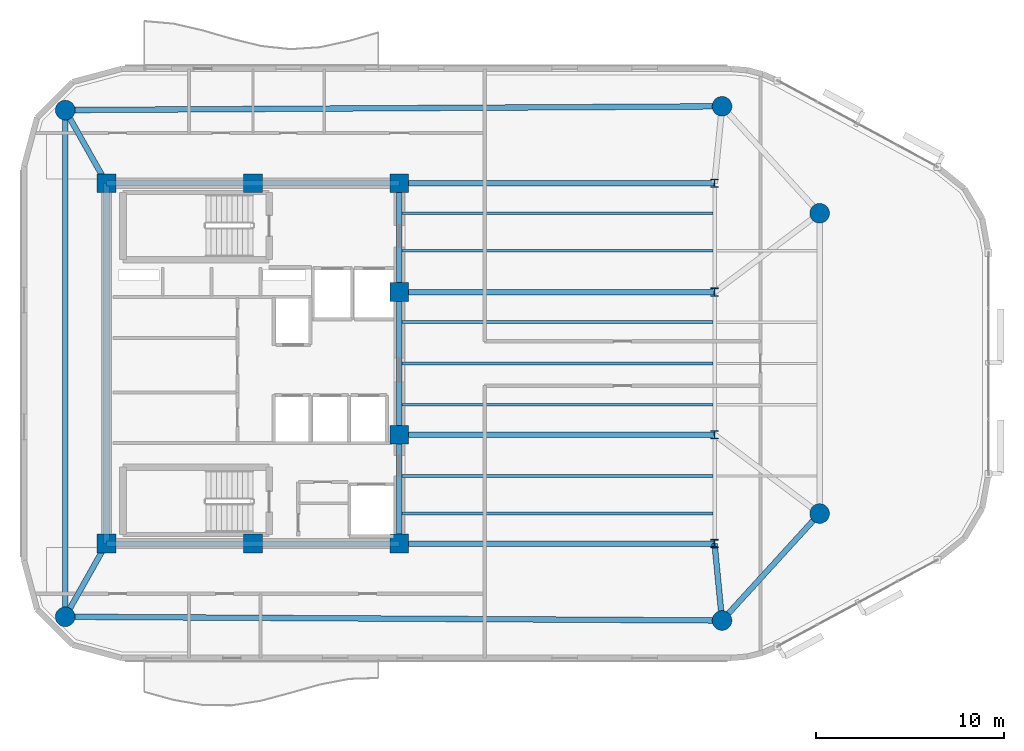
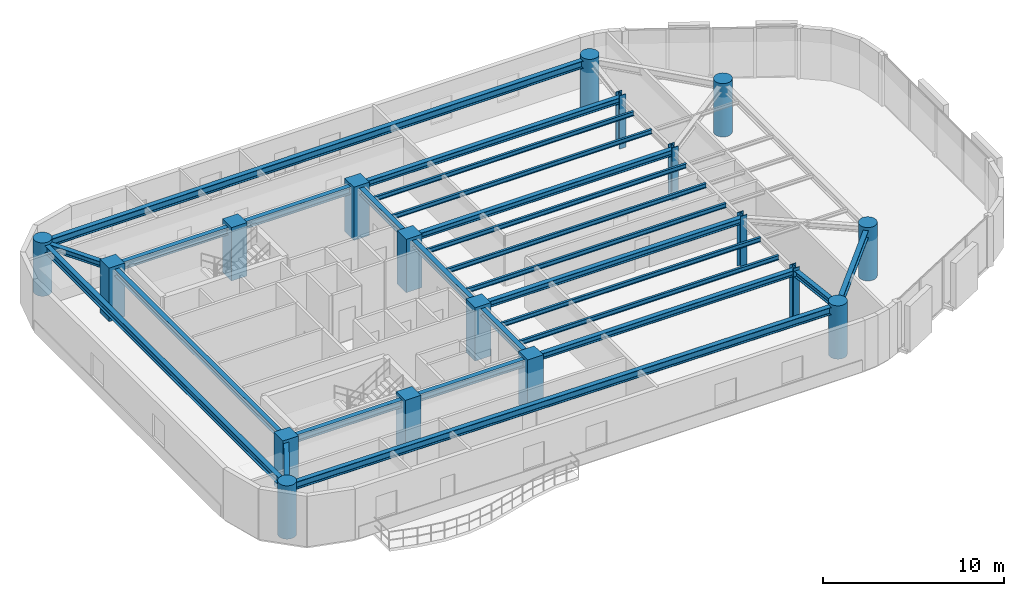
# One storey, part 1 of 13: 24 beams, 18 columns.
"""IFC4 building model written with IfcOpenShell, lengths in metres."""

from ifc_helpers import new_model, si_unit, direction, frame, origin, origin_2d, place, context, subcontext, project, spatial, rectangle, circle, i_section, extrude, material, material_profile, profile_set, type_object, element, save


model = new_model("IFC4")

# Units and contexts
model_context = context("Model", 3, precision=1e-05, world=origin(), true_north=direction((0.0, 1.0)))
body_context = subcontext(model_context, "Body", "Model", "MODEL_VIEW")
ifc_project = project(units=[si_unit("LENGTHUNIT", "METRE"), si_unit("AREAUNIT", "SQUARE_METRE"), si_unit("VOLUMEUNIT", "CUBIC_METRE"), si_unit("PLANEANGLEUNIT", "RADIAN"), si_unit("MASSUNIT", "GRAM", prefix="KILO")], contexts=[model_context])

# Site, building, storey
site_placement = place(None, origin())
site = spatial("IfcSite", under=ifc_project, at=site_placement, CompositionType="ELEMENT")
building_placement = place(site_placement, origin())
building = spatial("IfcBuilding", under=site, at=building_placement, Name="An Khanh Terracotta Commons", CompositionType="ELEMENT")
storey_placement = place(building_placement, frame((0.0, 0.0, 237.300048828125)))
storey = spatial("IfcBuildingStorey", under=building, at=storey_placement, Name="L62", CompositionType="ELEMENT", Elevation=237.300048828125)

# Columns
ifc_material_1 = material(Name="Concrete C60/75", Category="concrete")
ifc_material_profile_1 = material_profile(ifc_material_1, circle(Radius=0.52490234375, at=origin_2d()), Name="CFST1050")
ifc_profile_set_1 = profile_set([ifc_material_profile_1], Name="Concrete C60/75")
column_type_1 = type_object("IfcColumnType", Name="COL-CFST1050", PredefinedType="COLUMN", material=ifc_profile_set_1)
for number, where, z_axis, x_axis, name in (
    (1, (19.39990234375, 10.5, 0.0), (0.0, 0.0, 1.0), (1.0, 0.0, 0.0), "L62 Perimeter CFST Mega-Column MC-01"),
    (2, (54.39990234375, 10.300048828125, 0.0), (0.0, 0.0, 1.0), (1.0, 0.0, 0.0), "L62 Perimeter CFST Mega-Column MC-02"),
    (3, (59.60009765625, 16.0, 0.0), (0.0, 0.0, 1.0), (1.0, 0.0, 0.0), "L62 Perimeter CFST Mega-Column MC-03"),
    (4, (59.60009765625, 32.0, 0.0), (0.0, 0.0, 1.0), (1.0, 0.0, 0.0), "L62 Perimeter CFST Mega-Column MC-04"),
    (5, (54.39990234375, 37.699951171875, 0.0), (0.0, 0.0, 1.0), (1.0, 0.0, 0.0), "L62 Perimeter CFST Mega-Column MC-05"),
    (6, (19.39990234375, 37.5, 0.0), (0.0, 0.0, 1.0), (1.0, 0.0, 0.0), "L62 Perimeter CFST Mega-Column MC-06"),
):
    element("IfcColumn", number, at=place(storey_placement, frame(where, z_axis=z_axis, x_axis=x_axis)), inside=storey, type_object=column_type_1, Name=name, PredefinedType="COLUMN", context=body_context, shape_type="SweptSolid", body=[
        extrude(circle(Radius=0.52490234375, at=origin_2d()), origin(), (0.0, 0.0, 1.0), 3.599853515625),
    ])
ifc_material_2 = material(Name="Steel S460ML", Category="steel")
ifc_material_profile_2 = material_profile(ifc_material_2, i_section(OverallWidth=0.406005859375, OverallDepth=0.43994140625, WebThickness=0.02392578125, FlangeThickness=0.0390625, FilletRadius=0.014892578125, at=origin_2d()), Name="HD400x314")
ifc_profile_set_2 = profile_set([ifc_material_profile_2], Name="Steel S460ML")
column_type_2 = type_object("IfcColumnType", Name="COL-HD400x314", PredefinedType="COLUMN", material=ifc_profile_set_2)
for number, where, z_axis, x_axis, name in (
    (7, (54.0, 14.39990234375, 0.0), (0.0, 0.0, 1.0), (1.0, 0.0, 0.0), "L62 Interior Frame Column TC-01"),
    (8, (54.0, 20.199951171875, 0.0), (0.0, 0.0, 1.0), (1.0, 0.0, 0.0), "L62 Interior Frame Column TC-02"),
    (9, (54.0, 27.800048828125, 0.0), (0.0, 0.0, 1.0), (1.0, 0.0, 0.0), "L62 Interior Frame Column TC-03"),
    (10, (54.0, 33.60009765625, 0.0), (0.0, 0.0, 1.0), (1.0, 0.0, 0.0), "L62 Interior Frame Column TC-04"),
):
    element("IfcColumn", number, at=place(storey_placement, frame(where, z_axis=z_axis, x_axis=x_axis)), inside=storey, type_object=column_type_2, Name=name, PredefinedType="COLUMN", context=body_context, shape_type="SweptSolid", body=[
        extrude(i_section(OverallWidth=0.406005859375, OverallDepth=0.43994140625, WebThickness=0.02392578125, FlangeThickness=0.0390625, FilletRadius=0.014892578125, at=origin_2d()), origin(), (0.0, 0.0, 1.0), 3.599853515625),
    ])
ifc_material_profile_3 = material_profile(ifc_material_1, rectangle(XDim=1.0, YDim=1.0, at=origin_2d()), Name="RC1000x1000")
ifc_profile_set_3 = profile_set([ifc_material_profile_3], Name="Concrete C60/75")
column_type_3 = type_object("IfcColumnType", Name="COL-RC1000x1000", PredefinedType="COLUMN", material=ifc_profile_set_3)
for number, where, z_axis, x_axis, name in (
    (11, (21.60009765625, 14.39990234375, 0.0), (0.0, 0.0, 1.0), (1.0, 0.0, 0.0), "L62 Core Boundary Column CC-01"),
    (12, (29.39990234375, 14.39990234375, 0.0), (0.0, 0.0, 1.0), (1.0, 0.0, 0.0), "L62 Core Boundary Column CC-02"),
    (13, (37.199951171875, 14.39990234375, 0.0), (0.0, 0.0, 1.0), (1.0, 0.0, 0.0), "L62 Core Boundary Column CC-03"),
    (14, (37.199951171875, 20.199951171875, 0.0), (0.0, 0.0, 1.0), (1.0, 0.0, 0.0), "L62 Core Boundary Column CC-04"),
    (15, (37.199951171875, 27.800048828125, 0.0), (0.0, 0.0, 1.0), (1.0, 0.0, 0.0), "L62 Core Boundary Column CC-05"),
    (16, (37.199951171875, 33.60009765625, 0.0), (0.0, 0.0, 1.0), (1.0, 0.0, 0.0), "L62 Core Boundary Column CC-06"),
    (17, (29.39990234375, 33.60009765625, 0.0), (0.0, 0.0, 1.0), (1.0, 0.0, 0.0), "L62 Core Boundary Column CC-07"),
    (18, (21.60009765625, 33.60009765625, 0.0), (0.0, 0.0, 1.0), (1.0, 0.0, 0.0), "L62 Core Boundary Column CC-08"),
):
    element("IfcColumn", number, at=place(storey_placement, frame(where, z_axis=z_axis, x_axis=x_axis)), inside=storey, type_object=column_type_3, Name=name, PredefinedType="COLUMN", context=body_context, shape_type="SweptSolid", body=[
        extrude(rectangle(XDim=1.0, YDim=1.0, at=origin_2d()), origin(), (0.0, 0.0, 1.0), 3.599853515625),
    ])

# Beams
ifc_material_3 = material(Name="Steel S355J2", Category="steel")
ifc_material_profile_4 = material_profile(ifc_material_3, i_section(OverallWidth=0.300048828125, OverallDepth=0.39990234375, WebThickness=0.013427734375, FlangeThickness=0.02392578125, FilletRadius=0.027099609375, at=origin_2d()), Name="HEB400")
ifc_profile_set_4 = profile_set([ifc_material_profile_4], Name="Steel S355J2")
beam_type_1 = type_object("IfcBeamType", Name="BM-HEB400", PredefinedType="BEAM", material=ifc_profile_set_4)
for number, where, z_axis, x_axis, name in (
    (19, (37.199951171875, 14.39990234375, 3.199951171875), (1.0, 0.0, 0.0), (0.0, 1.0, 0.0), "L62 East Primary Floor Girder 1"),
    (20, (37.199951171875, 20.199951171875, 3.199951171875), (1.0, 0.0, 0.0), (0.0, 1.0, 0.0), "L62 East Primary Floor Girder 2"),
    (21, (37.199951171875, 27.800048828125, 3.199951171875), (1.0, 0.0, 0.0), (0.0, 1.0, 0.0), "L62 East Primary Floor Girder 3"),
    (22, (37.199951171875, 33.60009765625, 3.199951171875), (1.0, 0.0, 0.0), (0.0, 1.0, 0.0), "L62 East Primary Floor Girder 4"),
):
    element("IfcBeam", number, at=place(storey_placement, frame(where, z_axis=z_axis, x_axis=x_axis)), inside=storey, type_object=beam_type_1, Name=name, PredefinedType="BEAM", context=body_context, shape_type="SweptSolid", body=[
        extrude(i_section(OverallWidth=0.300048828125, OverallDepth=0.39990234375, WebThickness=0.013427734375, FlangeThickness=0.02392578125, FilletRadius=0.027099609375, at=origin_2d()), origin(), (0.0, 0.0, 1.0), 16.800048828125),
    ])
beam_1_placement = place(storey_placement, frame((19.39990234375, 10.5, 3.199951171875), z_axis=(0.491363608436, 0.870954536302, 0.0), x_axis=(-0.870954536302, 0.491363608436, 0.0)))
element("IfcBeam", 23, at=beam_1_placement, inside=storey, type_object=beam_type_1, Name="L62 Mega-Column Tie Girder 1", PredefinedType="BEAM", context=body_context, shape_type="SweptSolid", body=[
    extrude(i_section(OverallWidth=0.300048828125, OverallDepth=0.39990234375, WebThickness=0.013427734375, FlangeThickness=0.02392578125, FilletRadius=0.027099609375, at=origin_2d()), origin(), (0.0, 0.0, 1.0), 4.477783203125),
])
beam_2_placement = place(storey_placement, frame((54.39990234375, 10.300048828125, 3.199951171875), z_axis=(-0.097079917443, 0.995276589511, 0.0), x_axis=(-0.995276589511, -0.097079917443, 0.0)))
element("IfcBeam", 24, at=beam_2_placement, inside=storey, type_object=beam_type_1, Name="L62 Mega-Column Tie Girder 2", PredefinedType="BEAM", context=body_context, shape_type="SweptSolid", body=[
    extrude(i_section(OverallWidth=0.300048828125, OverallDepth=0.39990234375, WebThickness=0.013427734375, FlangeThickness=0.02392578125, FilletRadius=0.027099609375, at=origin_2d()), origin(), (0.0, 0.0, 1.0), 4.119384765625),
])
beam_3_placement = place(storey_placement, frame((19.39990234375, 37.5, 3.199951171875), z_axis=(0.491363608436, -0.870954536302, 0.0), x_axis=(0.870954536302, 0.491363608436, 0.0)))
element("IfcBeam", 25, at=beam_3_placement, inside=storey, type_object=beam_type_1, Name="L62 Mega-Column Tie Girder 6", PredefinedType="BEAM", context=body_context, shape_type="SweptSolid", body=[
    extrude(i_section(OverallWidth=0.300048828125, OverallDepth=0.39990234375, WebThickness=0.013427734375, FlangeThickness=0.02392578125, FilletRadius=0.027099609375, at=origin_2d()), origin(), (0.0, 0.0, 1.0), 4.477783203125),
])
ifc_material_profile_5 = material_profile(ifc_material_3, i_section(OverallWidth=0.300048828125, OverallDepth=0.449951171875, WebThickness=0.013916015625, FlangeThickness=0.02587890625, FilletRadius=0.027099609375, at=origin_2d()), Name="HEB450")
ifc_profile_set_5 = profile_set([ifc_material_profile_5], Name="Steel S355J2")
beam_type_2 = type_object("IfcBeamType", Name="BM-HEB450", PredefinedType="BEAM", material=ifc_profile_set_5)
beam_4_placement = place(storey_placement, frame((37.199951171875, 14.39990234375, 3.175048828125), z_axis=(0.0, 1.0, 0.0), x_axis=(-1.0, 0.0, 0.0)))
element("IfcBeam", 26, at=beam_4_placement, inside=storey, type_object=beam_type_2, Name="L62 Core East Coupling Girder 1", PredefinedType="BEAM", context=body_context, shape_type="SweptSolid", body=[
    extrude(i_section(OverallWidth=0.300048828125, OverallDepth=0.449951171875, WebThickness=0.013916015625, FlangeThickness=0.02587890625, FilletRadius=0.027099609375, at=origin_2d()), origin(), (0.0, 0.0, 1.0), 5.800048828125),
])
beam_5_placement = place(storey_placement, frame((37.199951171875, 20.199951171875, 3.175048828125), z_axis=(0.0, 1.0, 0.0), x_axis=(-1.0, 0.0, 0.0)))
element("IfcBeam", 27, at=beam_5_placement, inside=storey, type_object=beam_type_2, Name="L62 Core East Coupling Girder 2", PredefinedType="BEAM", context=body_context, shape_type="SweptSolid", body=[
    extrude(i_section(OverallWidth=0.300048828125, OverallDepth=0.449951171875, WebThickness=0.013916015625, FlangeThickness=0.02587890625, FilletRadius=0.027099609375, at=origin_2d()), origin(), (0.0, 0.0, 1.0), 7.60009765625),
])
beam_6_placement = place(storey_placement, frame((37.199951171875, 27.800048828125, 3.175048828125), z_axis=(0.0, 1.0, 0.0), x_axis=(-1.0, 0.0, 0.0)))
element("IfcBeam", 28, at=beam_6_placement, inside=storey, type_object=beam_type_2, Name="L62 Core East Coupling Girder 3", PredefinedType="BEAM", context=body_context, shape_type="SweptSolid", body=[
    extrude(i_section(OverallWidth=0.300048828125, OverallDepth=0.449951171875, WebThickness=0.013916015625, FlangeThickness=0.02587890625, FilletRadius=0.027099609375, at=origin_2d()), origin(), (0.0, 0.0, 1.0), 5.800048828125),
])
beam_7_placement = place(storey_placement, frame((21.60009765625, 14.39990234375, 3.175048828125), z_axis=(0.0, 1.0, 0.0), x_axis=(-1.0, 0.0, 0.0)))
element("IfcBeam", 29, at=beam_7_placement, inside=storey, type_object=beam_type_2, Name="L62 Core West Coupling Girder", PredefinedType="BEAM", context=body_context, shape_type="SweptSolid", body=[
    extrude(i_section(OverallWidth=0.300048828125, OverallDepth=0.449951171875, WebThickness=0.013916015625, FlangeThickness=0.02587890625, FilletRadius=0.027099609375, at=origin_2d()), origin(), (0.0, 0.0, 1.0), 19.2001953125),
])
ifc_material_profile_6 = material_profile(ifc_material_3, i_section(OverallWidth=0.300048828125, OverallDepth=0.5, WebThickness=0.014404296875, FlangeThickness=0.028076171875, FilletRadius=0.027099609375, at=origin_2d()), Name="HEB500")
ifc_profile_set_6 = profile_set([ifc_material_profile_6], Name="Steel S355J2")
beam_type_3 = type_object("IfcBeamType", Name="BM-HEB500", PredefinedType="BEAM", material=ifc_profile_set_6)
for number, where, z_axis, x_axis, name in (
    (30, (21.60009765625, 14.39990234375, 3.14990234375), (1.0, 0.0, 0.0), (0.0, 1.0, 0.0), "L62 Core South Coupling Girder"),
    (31, (21.60009765625, 33.60009765625, 3.14990234375), (1.0, 0.0, 0.0), (0.0, 1.0, 0.0), "L62 Core North Coupling Girder"),
):
    element("IfcBeam", number, at=place(storey_placement, frame(where, z_axis=z_axis, x_axis=x_axis)), inside=storey, type_object=beam_type_3, Name=name, PredefinedType="BEAM", context=body_context, shape_type="SweptSolid", body=[
        extrude(i_section(OverallWidth=0.300048828125, OverallDepth=0.5, WebThickness=0.014404296875, FlangeThickness=0.028076171875, FilletRadius=0.027099609375, at=origin_2d()), origin(), (0.0, 0.0, 1.0), 15.599853515625),
    ])
beam_8_placement = place(storey_placement, frame((19.39990234375, 10.5, 3.14990234375), z_axis=(0.99998368184, -0.005712797401, 0.0), x_axis=(0.005712797401, 0.99998368184, 0.0)))
element("IfcBeam", 32, at=beam_8_placement, inside=storey, type_object=beam_type_3, Name="L62 Perimeter Ring Spandrel 1", PredefinedType="BEAM", context=body_context, shape_type="SweptSolid", body=[
    extrude(i_section(OverallWidth=0.300048828125, OverallDepth=0.5, WebThickness=0.014404296875, FlangeThickness=0.028076171875, FilletRadius=0.027099609375, at=origin_2d()), origin(), (0.0, 0.0, 1.0), 35.00048828125),
])
beam_9_placement = place(storey_placement, frame((54.39990234375, 10.300048828125, 3.14990234375), z_axis=(0.673978953902, 0.738750546326, 0.0), x_axis=(-0.738750546326, 0.673978953902, 0.0)))
element("IfcBeam", 33, at=beam_9_placement, inside=storey, type_object=beam_type_3, Name="L62 Perimeter Ring Spandrel 2", PredefinedType="BEAM", context=body_context, shape_type="SweptSolid", body=[
    extrude(i_section(OverallWidth=0.300048828125, OverallDepth=0.5, WebThickness=0.014404296875, FlangeThickness=0.028076171875, FilletRadius=0.027099609375, at=origin_2d()), origin(), (0.0, 0.0, 1.0), 7.715576171875),
])
beam_10_placement = place(storey_placement, frame((54.39990234375, 37.699951171875, 3.14990234375), z_axis=(-0.99998368184, -0.005712797401, 0.0), x_axis=(0.005712797401, -0.99998368184, 0.0)))
element("IfcBeam", 34, at=beam_10_placement, inside=storey, type_object=beam_type_3, Name="L62 Perimeter Ring Spandrel 5", PredefinedType="BEAM", context=body_context, shape_type="SweptSolid", body=[
    extrude(i_section(OverallWidth=0.300048828125, OverallDepth=0.5, WebThickness=0.014404296875, FlangeThickness=0.028076171875, FilletRadius=0.027099609375, at=origin_2d()), origin(), (0.0, 0.0, 1.0), 35.00048828125),
])
beam_11_placement = place(storey_placement, frame((19.39990234375, 37.5, 3.14990234375), z_axis=(0.0, -1.0, 0.0), x_axis=(1.0, 0.0, 0.0)))
element("IfcBeam", 35, at=beam_11_placement, inside=storey, type_object=beam_type_3, Name="L62 Perimeter Ring Spandrel 6", PredefinedType="BEAM", context=body_context, shape_type="SweptSolid", body=[
    extrude(i_section(OverallWidth=0.300048828125, OverallDepth=0.5, WebThickness=0.014404296875, FlangeThickness=0.028076171875, FilletRadius=0.027099609375, at=origin_2d()), origin(), (0.0, 0.0, 1.0), 27.0),
])
ifc_material_profile_7 = material_profile(ifc_material_3, i_section(OverallWidth=0.14990234375, OverallDepth=0.300048828125, WebThickness=0.007080078125, FlangeThickness=0.0107421875, FilletRadius=0.014892578125, at=origin_2d()), Name="IPE300")
ifc_profile_set_7 = profile_set([ifc_material_profile_7], Name="Steel S355J2")
beam_type_4 = type_object("IfcBeamType", Name="BM-IPE300", PredefinedType="JOIST", material=ifc_profile_set_7)
for number, where, z_axis, x_axis, name in (
    (36, (37.199951171875, 16.0, 3.25), (1.0, 0.0, 0.0), (0.0, 1.0, 0.0), "L62 Inboard Composite Joist 1"),
    (37, (37.199951171875, 18.0, 3.25), (1.0, 0.0, 0.0), (0.0, 1.0, 0.0), "L62 Inboard Composite Joist 2"),
    (38, (37.199951171875, 21.800048828125, 3.25), (1.0, 0.0, 0.0), (0.0, 1.0, 0.0), "L62 Inboard Composite Joist 3"),
    (39, (37.199951171875, 24.0, 3.25), (1.0, 0.0, 0.0), (0.0, 1.0, 0.0), "L62 Inboard Composite Joist 4"),
    (40, (37.199951171875, 26.199951171875, 3.25), (1.0, 0.0, 0.0), (0.0, 1.0, 0.0), "L62 Inboard Composite Joist 5"),
    (41, (37.199951171875, 30.0, 3.25), (1.0, 0.0, 0.0), (0.0, 1.0, 0.0), "L62 Inboard Composite Joist 6"),
    (42, (37.199951171875, 32.0, 3.25), (1.0, 0.0, 0.0), (0.0, 1.0, 0.0), "L62 Inboard Composite Joist 7"),
):
    element("IfcBeam", number, at=place(storey_placement, frame(where, z_axis=z_axis, x_axis=x_axis)), inside=storey, type_object=beam_type_4, Name=name, PredefinedType="JOIST", context=body_context, shape_type="SweptSolid", body=[
        extrude(i_section(OverallWidth=0.14990234375, OverallDepth=0.300048828125, WebThickness=0.007080078125, FlangeThickness=0.0107421875, FilletRadius=0.014892578125, at=origin_2d()), origin(), (0.0, 0.0, 1.0), 16.705078125),
    ])

save(model, "model.ifc")
